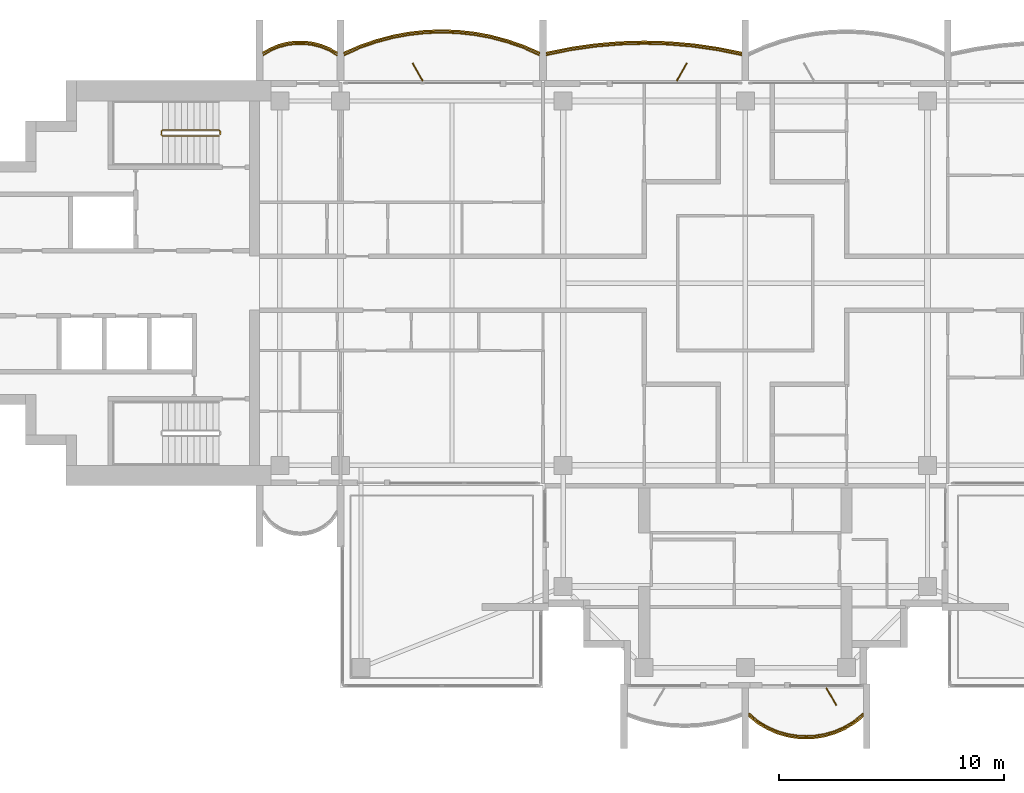
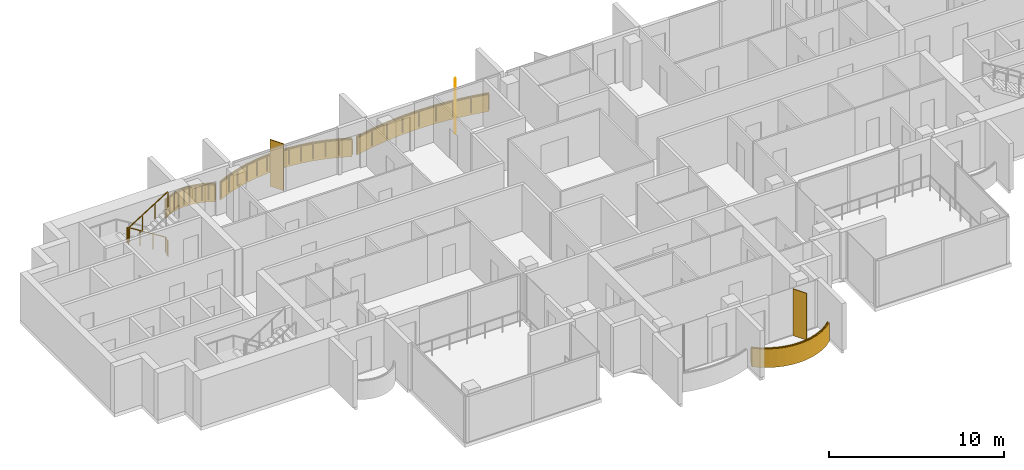
# One storey, part 14 of 16: 5 railings, 4 coverings, 3 shading devices.
"""IFC4 building model written with IfcOpenShell, lengths in metres."""

from ifc_helpers import new_model, si_unit, direction, frame, origin, origin_2d, place, context, subcontext, project, spatial, polyline, rectangle, outline, extrude, material, layer, layer_set, type_object, element, save


model = new_model("IFC4")

# Units and contexts
model_context = context("Model", 3, precision=1e-05, world=origin(), true_north=direction((0.0, 1.0)))
body_context = subcontext(model_context, "Body", "Model", "MODEL_VIEW")
ifc_project = project(units=[si_unit("LENGTHUNIT", "METRE"), si_unit("AREAUNIT", "SQUARE_METRE"), si_unit("VOLUMEUNIT", "CUBIC_METRE"), si_unit("PLANEANGLEUNIT", "RADIAN"), si_unit("MASSUNIT", "GRAM", prefix="KILO")], contexts=[model_context])

# Site, building, storey
site_placement = place(None, origin())
site = spatial("IfcSite", under=ifc_project, at=site_placement, CompositionType="ELEMENT")
building_placement = place(site_placement, origin())
building = spatial("IfcBuilding", under=site, at=building_placement, Name="Perihelion Cross Residences", CompositionType="ELEMENT")
storey_placement = place(building_placement, frame((0.0, 0.0, 267.5)))
storey = spatial("IfcBuildingStorey", under=building, at=storey_placement, Name="L68", CompositionType="ELEMENT", Elevation=267.5)

# Coverings
ifc_material_1 = material(Name="Bronze anodised aluminium", Category="aluminium")
ifc_layer_1 = layer(ifc_material_1, 0.070068359375)
ifc_layer_set_1 = layer_set([ifc_layer_1], Name="Balcony fascia 1300")
covering_type = type_object("IfcCoveringType", Name="Balcony fascia 1300", PredefinedType="CLADDING", material=ifc_layer_set_1)
covering_1_placement = place(storey_placement, frame((0.0, 0.0, -0.199951171875)))
element("IfcCovering", 1, at=covering_1_placement, inside=storey, type_object=covering_type, Name="Fascia BF1 L68 north side east bay 2", PredefinedType="CLADDING", context=body_context, shape_type="SweptSolid", body=[
    extrude(outline(polyline([(-1.2255859375, 10.4892578125), (-2.317138671875, 10.645751953125), (-3.408447265625, 10.739013671875), (-4.5, 10.77001953125), (-5.591552734375, 10.739013671875), (-6.682861328125, 10.645751953125), (-7.7744140625, 10.4892578125), (-8.85009765625, 10.271484375), (-8.85009765625, 10.199951171875), (-7.762451171875, 10.42041015625), (-6.675048828125, 10.576171875), (-5.58740234375, 10.669189453125), (-4.5, 10.699951171875), (-3.41259765625, 10.669189453125), (-2.324951171875, 10.576171875), (-1.237548828125, 10.42041015625), (-0.14990234375, 10.199951171875), (-0.14990234375, 10.271484375), (-1.2255859375, 10.4892578125)])), origin(), (0.0, 0.0, 1.0), 1.300048828125),
])
covering_2_placement = place(storey_placement, frame((0.0, 0.0, -0.199951171875)))
element("IfcCovering", 2, at=covering_2_placement, inside=storey, type_object=covering_type, Name="Fascia BF1 L68 west side north bay 1", PredefinedType="CLADDING", context=body_context, shape_type="SweptSolid", body=[
    extrude(outline(polyline([(-9.849365234375, 10.582275390625), (-10.57958984375, 10.83544921875), (-11.309814453125, 11.028076171875), (-12.039794921875, 11.1630859375), (-12.77001953125, 11.243408203125), (-13.5, 11.27001953125), (-14.22998046875, 11.243408203125), (-14.960205078125, 11.1630859375), (-15.690185546875, 11.028076171875), (-16.42041015625, 10.83544921875), (-17.150634765625, 10.582275390625), (-17.85009765625, 10.2763671875), (-17.85009765625, 10.199951171875), (-17.125, 10.51708984375), (-16.39990234375, 10.7685546875), (-15.675048828125, 10.959716796875), (-14.949951171875, 11.093994140625), (-14.22509765625, 11.173583984375), (-13.5, 11.199951171875), (-12.77490234375, 11.173583984375), (-12.050048828125, 11.093994140625), (-11.324951171875, 10.959716796875), (-10.60009765625, 10.7685546875), (-9.875, 10.51708984375), (-9.14990234375, 10.199951171875), (-9.14990234375, 10.2763671875), (-9.849365234375, 10.582275390625)])), origin(), (0.0, 0.0, 1.0), 1.300048828125),
])
covering_3_placement = place(storey_placement, frame((0.0, 0.0, -0.199951171875)))
element("IfcCovering", 3, at=covering_3_placement, inside=storey, type_object=covering_type, Name="Fascia BF1 L68 west side north bay 2", PredefinedType="CLADDING", context=body_context, shape_type="SweptSolid", body=[
    extrude(outline(polyline([(-18.486328125, 10.4716796875), (-18.861572265625, 10.62158203125), (-19.237060546875, 10.717529296875), (-19.6123046875, 10.76416015625), (-19.987548828125, 10.76416015625), (-20.363037109375, 10.717529296875), (-20.73828125, 10.62158203125), (-21.11376953125, 10.4716796875), (-21.449951171875, 10.280517578125), (-21.449951171875, 10.199951171875), (-21.083251953125, 10.40869140625), (-20.716552734375, 10.55517578125), (-20.35009765625, 10.648681640625), (-19.9833984375, 10.6943359375), (-19.61669921875, 10.6943359375), (-19.25, 10.648681640625), (-18.88330078125, 10.55517578125), (-18.5166015625, 10.40869140625), (-18.14990234375, 10.199951171875), (-18.14990234375, 10.280517578125), (-18.486328125, 10.4716796875)])), origin(), (0.0, 0.0, 1.0), 1.300048828125),
])
covering_4_placement = place(storey_placement, frame((0.0, 0.0, -0.199951171875)))
element("IfcCovering", 4, at=covering_4_placement, inside=storey, type_object=covering_type, Name="Fascia BF1 L68 south tip south bay 2", PredefinedType="CLADDING", context=body_context, shape_type="SweptSolid", body=[
    extrude(outline(polyline([(0.53515625, -19.59765625), (0.96826171875, -19.85498046875), (1.401123046875, -20.04248046875), (1.833984375, -20.170654296875), (2.26708984375, -20.245361328125), (2.699951171875, -20.27001953125), (3.133056640625, -20.245361328125), (3.56591796875, -20.170654296875), (3.998779296875, -20.04248046875), (4.431884765625, -19.85498046875), (4.86474609375, -19.59765625), (5.25, -19.28955078125), (5.25, -19.199951171875), (4.824951171875, -19.5400390625), (4.39990234375, -19.792724609375), (3.97509765625, -19.9765625), (3.550048828125, -20.1025390625), (3.125, -20.17578125), (2.699951171875, -20.199951171875), (2.27490234375, -20.17578125), (1.85009765625, -20.1025390625), (1.425048828125, -19.9765625), (1.0, -19.792724609375), (0.574951171875, -19.5400390625), (0.14990234375, -19.199951171875), (0.14990234375, -19.28955078125), (0.53515625, -19.59765625)])), origin(), (0.0, 0.0, 1.0), 1.300048828125),
])

# Railings
ifc_material_2 = material(Name="Bronze anodised aluminium", Category="aluminium")
railing_type_1 = type_object("IfcRailingType", Name="Balcony guard 1100", PredefinedType="GUARDRAIL", material=ifc_material_2)
railing_1_placement = place(storey_placement, frame((-0.175048828125, 10.139892578125, 0.0)))
element("IfcRailing", 5, at=railing_1_placement, inside=storey, type_object=railing_type_1, Name="Guard GU1 L68 north side east bay 2 balcony", PredefinedType="GUARDRAIL", context=body_context, shape_type="SweptSolid", body=[
    extrude(rectangle(XDim=0.048095703125, YDim=0.048095703125, at=origin_2d()), frame((0.0, 0.0, 1.076171875), z_axis=(-0.979144816647, 0.203163549961, 0.0), x_axis=(-0.203163549961, -0.979144816647, 0.0)), (0.0, 0.0, 1.0), 1.085205078125),
    extrude(rectangle(XDim=0.048095703125, YDim=0.048095703125, at=origin_2d()), frame((-1.0625, 0.220458984375, 1.076171875), z_axis=(-0.98989608354, 0.141794724135, 0.0), x_axis=(-0.141794724135, -0.98989608354, 0.0)), (0.0, 0.0, 1.0), 1.098388671875),
    extrude(rectangle(XDim=0.048095703125, YDim=0.048095703125, at=origin_2d()), frame((-2.14990234375, 0.376220703125, 1.076171875), z_axis=(-0.996362942492, 0.085210837506, 0.0), x_axis=(-0.085210837506, -0.996362942492, 0.0)), (0.0, 0.0, 1.0), 1.091552734375),
    extrude(rectangle(XDim=0.048095703125, YDim=0.048095703125, at=origin_2d()), frame((-3.237548828125, 0.46923828125, 1.076171875), z_axis=(-0.999600101203, 0.028277865458, 0.0), x_axis=(-0.028277865458, -0.999600101203, 0.0)), (0.0, 0.0, 1.0), 1.087890625),
    extrude(rectangle(XDim=0.048095703125, YDim=0.048095703125, at=origin_2d()), frame((-4.324951171875, 0.5, 1.076171875), z_axis=(-0.999600101203, -0.028277865458, 0.0), x_axis=(0.028277865458, -0.999600101203, 0.0)), (0.0, 0.0, 1.0), 1.087890625),
    extrude(rectangle(XDim=0.048095703125, YDim=0.048095703125, at=origin_2d()), frame((-5.412353515625, 0.46923828125, 1.076171875), z_axis=(-0.996362942492, -0.085210837506, 0.0), x_axis=(0.085210837506, -0.996362942492, 0.0)), (0.0, 0.0, 1.0), 1.091552734375),
    extrude(rectangle(XDim=0.048095703125, YDim=0.048095703125, at=origin_2d()), frame((-6.5, 0.376220703125, 1.076171875), z_axis=(-0.98989608354, -0.141794724135, 0.0), x_axis=(0.141794724135, -0.98989608354, 0.0)), (0.0, 0.0, 1.0), 1.098388671875),
    extrude(rectangle(XDim=0.048095703125, YDim=0.048095703125, at=origin_2d()), frame((-7.58740234375, 0.220458984375, 1.076171875), z_axis=(-0.979144816647, -0.203163549961, 0.0), x_axis=(0.203163549961, -0.979144816647, 0.0)), (0.0, 0.0, 1.0), 1.085205078125),
    extrude(rectangle(XDim=0.0419921875, YDim=0.0419921875, at=origin_2d()), origin(), (0.0, 0.0, 1.0), 1.052001953125),
    extrude(rectangle(XDim=0.0419921875, YDim=0.0419921875, at=origin_2d()), frame((-1.0625, 0.220458984375, 0.0)), (0.0, 0.0, 1.0), 1.052001953125),
    extrude(rectangle(XDim=0.0419921875, YDim=0.0419921875, at=origin_2d()), frame((-2.14990234375, 0.376220703125, 0.0)), (0.0, 0.0, 1.0), 1.052001953125),
    extrude(rectangle(XDim=0.0419921875, YDim=0.0419921875, at=origin_2d()), frame((-3.237548828125, 0.46923828125, 0.0)), (0.0, 0.0, 1.0), 1.052001953125),
    extrude(rectangle(XDim=0.0419921875, YDim=0.0419921875, at=origin_2d()), frame((-4.324951171875, 0.5, 0.0)), (0.0, 0.0, 1.0), 1.052001953125),
    extrude(rectangle(XDim=0.0419921875, YDim=0.0419921875, at=origin_2d()), frame((-5.412353515625, 0.46923828125, 0.0)), (0.0, 0.0, 1.0), 1.052001953125),
    extrude(rectangle(XDim=0.0419921875, YDim=0.0419921875, at=origin_2d()), frame((-6.5, 0.376220703125, 0.0)), (0.0, 0.0, 1.0), 1.052001953125),
    extrude(rectangle(XDim=0.0419921875, YDim=0.0419921875, at=origin_2d()), frame((-7.58740234375, 0.220458984375, 0.0)), (0.0, 0.0, 1.0), 1.052001953125),
    extrude(rectangle(XDim=0.0419921875, YDim=0.0419921875, at=origin_2d()), frame((-8.64990234375, 0.0, 0.0)), (0.0, 0.0, 1.0), 1.052001953125),
])
railing_2_placement = place(storey_placement, frame((-9.175048828125, 10.139892578125, 0.0)))
element("IfcRailing", 6, at=railing_2_placement, inside=storey, type_object=railing_type_1, Name="Guard GU1 L68 west side north bay 1 balcony", PredefinedType="GUARDRAIL", context=body_context, shape_type="SweptSolid", body=[
    extrude(rectangle(XDim=0.048095703125, YDim=0.048095703125, at=origin_2d()), frame((0.0, 0.0, 1.076171875), z_axis=(-0.910866309087, 0.412701547089, 0.0), x_axis=(-0.412701547089, -0.910866309087, 0.0)), (0.0, 0.0, 1.0), 0.7685546875),
    extrude(rectangle(XDim=0.048095703125, YDim=0.048095703125, at=origin_2d()), frame((-0.699951171875, 0.317138671875, 1.076171875), z_axis=(-0.944796812452, 0.327656807012, 0.0), x_axis=(-0.327656807012, -0.944796812452, 0.0)), (0.0, 0.0, 1.0), 0.767578125),
    extrude(rectangle(XDim=0.048095703125, YDim=0.048095703125, at=origin_2d()), frame((-1.425048828125, 0.568603515625, 1.076171875), z_axis=(-0.966939404945, 0.255006249266, 0.0), x_axis=(-0.255006249266, -0.966939404945, 0.0)), (0.0, 0.0, 1.0), 0.749755859375),
    extrude(rectangle(XDim=0.048095703125, YDim=0.048095703125, at=origin_2d()), frame((-2.14990234375, 0.759765625, 1.076171875), z_axis=(-0.983282004984, 0.182089260182, 0.0), x_axis=(-0.182089260182, -0.983282004984, 0.0)), (0.0, 0.0, 1.0), 0.7373046875),
    extrude(rectangle(XDim=0.048095703125, YDim=0.048095703125, at=origin_2d()), frame((-2.875, 0.89404296875, 1.076171875), z_axis=(-0.994025805622, 0.109145305703, 0.0), x_axis=(-0.109145305703, -0.994025805622, 0.0)), (0.0, 0.0, 1.0), 0.729248046875),
    extrude(rectangle(XDim=0.048095703125, YDim=0.048095703125, at=origin_2d()), frame((-3.599853515625, 0.9736328125, 1.076171875), z_axis=(-0.999339497946, 0.036339618107, 0.0), x_axis=(-0.036339618107, -0.999339497946, 0.0)), (0.0, 0.0, 1.0), 0.7255859375),
    extrude(rectangle(XDim=0.048095703125, YDim=0.048095703125, at=origin_2d()), frame((-4.324951171875, 1.0, 1.076171875), z_axis=(-0.999339497946, -0.036339618107, 0.0), x_axis=(0.036339618107, -0.999339497946, 0.0)), (0.0, 0.0, 1.0), 0.7255859375),
    extrude(rectangle(XDim=0.048095703125, YDim=0.048095703125, at=origin_2d()), frame((-5.050048828125, 0.9736328125, 1.076171875), z_axis=(-0.994025805622, -0.109145305703, 0.0), x_axis=(0.109145305703, -0.994025805622, 0.0)), (0.0, 0.0, 1.0), 0.729248046875),
    extrude(rectangle(XDim=0.048095703125, YDim=0.048095703125, at=origin_2d()), frame((-5.77490234375, 0.89404296875, 1.076171875), z_axis=(-0.983282004984, -0.182089260182, 0.0), x_axis=(0.182089260182, -0.983282004984, 0.0)), (0.0, 0.0, 1.0), 0.7373046875),
    extrude(rectangle(XDim=0.048095703125, YDim=0.048095703125, at=origin_2d()), frame((-6.5, 0.759765625, 1.076171875), z_axis=(-0.966939404945, -0.255006249266, 0.0), x_axis=(0.255006249266, -0.966939404945, 0.0)), (0.0, 0.0, 1.0), 0.749755859375),
    extrude(rectangle(XDim=0.048095703125, YDim=0.048095703125, at=origin_2d()), frame((-7.224853515625, 0.568603515625, 1.076171875), z_axis=(-0.944796812452, -0.327656807012, 0.0), x_axis=(0.327656807012, -0.944796812452, 0.0)), (0.0, 0.0, 1.0), 0.767578125),
    extrude(rectangle(XDim=0.048095703125, YDim=0.048095703125, at=origin_2d()), frame((-7.949951171875, 0.317138671875, 1.076171875), z_axis=(-0.910866309087, -0.412701547089, 0.0), x_axis=(0.412701547089, -0.910866309087, 0.0)), (0.0, 0.0, 1.0), 0.7685546875),
    extrude(rectangle(XDim=0.0419921875, YDim=0.0419921875, at=origin_2d()), origin(), (0.0, 0.0, 1.0), 1.052001953125),
    extrude(rectangle(XDim=0.0419921875, YDim=0.0419921875, at=origin_2d()), frame((-0.699951171875, 0.317138671875, 0.0)), (0.0, 0.0, 1.0), 1.052001953125),
    extrude(rectangle(XDim=0.0419921875, YDim=0.0419921875, at=origin_2d()), frame((-1.425048828125, 0.568603515625, 0.0)), (0.0, 0.0, 1.0), 1.052001953125),
    extrude(rectangle(XDim=0.0419921875, YDim=0.0419921875, at=origin_2d()), frame((-2.14990234375, 0.759765625, 0.0)), (0.0, 0.0, 1.0), 1.052001953125),
    extrude(rectangle(XDim=0.0419921875, YDim=0.0419921875, at=origin_2d()), frame((-2.875, 0.89404296875, 0.0)), (0.0, 0.0, 1.0), 1.052001953125),
    extrude(rectangle(XDim=0.0419921875, YDim=0.0419921875, at=origin_2d()), frame((-3.599853515625, 0.9736328125, 0.0)), (0.0, 0.0, 1.0), 1.052001953125),
    extrude(rectangle(XDim=0.0419921875, YDim=0.0419921875, at=origin_2d()), frame((-4.324951171875, 1.0, 0.0)), (0.0, 0.0, 1.0), 1.052001953125),
    extrude(rectangle(XDim=0.0419921875, YDim=0.0419921875, at=origin_2d()), frame((-5.050048828125, 0.9736328125, 0.0)), (0.0, 0.0, 1.0), 1.052001953125),
    extrude(rectangle(XDim=0.0419921875, YDim=0.0419921875, at=origin_2d()), frame((-5.77490234375, 0.89404296875, 0.0)), (0.0, 0.0, 1.0), 1.052001953125),
    extrude(rectangle(XDim=0.0419921875, YDim=0.0419921875, at=origin_2d()), frame((-6.5, 0.759765625, 0.0)), (0.0, 0.0, 1.0), 1.052001953125),
    extrude(rectangle(XDim=0.0419921875, YDim=0.0419921875, at=origin_2d()), frame((-7.224853515625, 0.568603515625, 0.0)), (0.0, 0.0, 1.0), 1.052001953125),
    extrude(rectangle(XDim=0.0419921875, YDim=0.0419921875, at=origin_2d()), frame((-7.949951171875, 0.317138671875, 0.0)), (0.0, 0.0, 1.0), 1.052001953125),
    extrude(rectangle(XDim=0.0419921875, YDim=0.0419921875, at=origin_2d()), frame((-8.64990234375, 0.0, 0.0)), (0.0, 0.0, 1.0), 1.052001953125),
])
railing_3_placement = place(storey_placement, frame((-18.175048828125, 10.139892578125, 0.0)))
element("IfcRailing", 7, at=railing_3_placement, inside=storey, type_object=railing_type_1, Name="Guard GU1 L68 west side north bay 2 balcony", PredefinedType="GUARDRAIL", context=body_context, shape_type="SweptSolid", body=[
    extrude(rectangle(XDim=0.048095703125, YDim=0.048095703125, at=origin_2d()), frame((0.0, 0.0, 1.076171875), z_axis=(-0.853266756821, 0.52147467983, 0.0), x_axis=(-0.52147467983, -0.853266756821, 0.0)), (0.0, 0.0, 1.0), 0.400390625),
    extrude(rectangle(XDim=0.048095703125, YDim=0.048095703125, at=origin_2d()), frame((-0.341552734375, 0.208740234375, 1.076171875), z_axis=(-0.928647151248, 0.37096424151, 0.0), x_axis=(-0.37096424151, -0.928647151248, 0.0)), (0.0, 0.0, 1.0), 0.394775390625),
    extrude(rectangle(XDim=0.048095703125, YDim=0.048095703125, at=origin_2d()), frame((-0.708251953125, 0.355224609375, 1.076171875), z_axis=(-0.968993337782, 0.247086849781, 0.0), x_axis=(-0.247086849781, -0.968993337782, 0.0)), (0.0, 0.0, 1.0), 0.37841796875),
    extrude(rectangle(XDim=0.048095703125, YDim=0.048095703125, at=origin_2d()), frame((-1.074951171875, 0.44873046875, 1.076171875), z_axis=(-0.992338742457, 0.123546834114, 0.0), x_axis=(-0.123546834114, -0.992338742457, 0.0)), (0.0, 0.0, 1.0), 0.36962890625),
    extrude(rectangle(XDim=0.048095703125, YDim=0.048095703125, at=origin_2d()), frame((-1.441650390625, 0.494384765625, 1.076171875), z_axis=(-1.0, 0.0, 0.0), x_axis=(0.0, -1.0, 0.0)), (0.0, 0.0, 1.0), 0.36669921875),
    extrude(rectangle(XDim=0.048095703125, YDim=0.048095703125, at=origin_2d()), frame((-1.808349609375, 0.494384765625, 1.076171875), z_axis=(-0.992338742457, -0.123546834114, 0.0), x_axis=(0.123546834114, -0.992338742457, 0.0)), (0.0, 0.0, 1.0), 0.36962890625),
    extrude(rectangle(XDim=0.048095703125, YDim=0.048095703125, at=origin_2d()), frame((-2.175048828125, 0.44873046875, 1.076171875), z_axis=(-0.968953914071, -0.247241405123, 0.0), x_axis=(0.247241405123, -0.968953914071, 0.0)), (0.0, 0.0, 1.0), 0.378173828125),
    extrude(rectangle(XDim=0.048095703125, YDim=0.048095703125, at=origin_2d()), frame((-2.54150390625, 0.355224609375, 1.076171875), z_axis=(-0.928647151248, -0.37096424151, 0.0), x_axis=(0.37096424151, -0.928647151248, 0.0)), (0.0, 0.0, 1.0), 0.394775390625),
    extrude(rectangle(XDim=0.048095703125, YDim=0.048095703125, at=origin_2d()), frame((-2.908203125, 0.208740234375, 1.076171875), z_axis=(-0.853432484338, -0.521203410078, 0.0), x_axis=(0.521203410078, -0.853432484338, 0.0)), (0.0, 0.0, 1.0), 0.400390625),
    extrude(rectangle(XDim=0.0419921875, YDim=0.0419921875, at=origin_2d()), origin(), (0.0, 0.0, 1.0), 1.052001953125),
    extrude(rectangle(XDim=0.0419921875, YDim=0.0419921875, at=origin_2d()), frame((-0.341552734375, 0.208740234375, 0.0)), (0.0, 0.0, 1.0), 1.052001953125),
    extrude(rectangle(XDim=0.0419921875, YDim=0.0419921875, at=origin_2d()), frame((-0.708251953125, 0.355224609375, 0.0)), (0.0, 0.0, 1.0), 1.052001953125),
    extrude(rectangle(XDim=0.0419921875, YDim=0.0419921875, at=origin_2d()), frame((-1.074951171875, 0.44873046875, 0.0)), (0.0, 0.0, 1.0), 1.052001953125),
    extrude(rectangle(XDim=0.0419921875, YDim=0.0419921875, at=origin_2d()), frame((-1.441650390625, 0.494384765625, 0.0)), (0.0, 0.0, 1.0), 1.052001953125),
    extrude(rectangle(XDim=0.0419921875, YDim=0.0419921875, at=origin_2d()), frame((-1.808349609375, 0.494384765625, 0.0)), (0.0, 0.0, 1.0), 1.052001953125),
    extrude(rectangle(XDim=0.0419921875, YDim=0.0419921875, at=origin_2d()), frame((-2.175048828125, 0.44873046875, 0.0)), (0.0, 0.0, 1.0), 1.052001953125),
    extrude(rectangle(XDim=0.0419921875, YDim=0.0419921875, at=origin_2d()), frame((-2.54150390625, 0.355224609375, 0.0)), (0.0, 0.0, 1.0), 1.052001953125),
    extrude(rectangle(XDim=0.0419921875, YDim=0.0419921875, at=origin_2d()), frame((-2.908203125, 0.208740234375, 0.0)), (0.0, 0.0, 1.0), 1.052001953125),
    extrude(rectangle(XDim=0.0419921875, YDim=0.0419921875, at=origin_2d()), frame((-3.25, 0.0, 0.0)), (0.0, 0.0, 1.0), 1.052001953125),
])
railing_4_placement = place(storey_placement, frame((0.175048828125, -19.139892578125, 0.0)))
element("IfcRailing", 8, at=railing_4_placement, inside=storey, type_object=railing_type_1, Name="Guard GU1 L68 south tip south bay 2 balcony", PredefinedType="GUARDRAIL", context=body_context, shape_type="SweptSolid", body=[
    extrude(rectangle(XDim=0.048095703125, YDim=0.048095703125, at=origin_2d()), frame((0.0, 0.0, 1.076171875), z_axis=(0.761778647315, -0.647837396648, 0.0), x_axis=(0.647837396648, 0.761778647315, 0.0)), (0.0, 0.0, 1.0), 0.52490234375),
    extrude(rectangle(XDim=0.048095703125, YDim=0.048095703125, at=origin_2d()), frame((0.39990234375, -0.340087890625, 1.076171875), z_axis=(0.859576918062, -0.511006381501, 0.0), x_axis=(0.511006381501, 0.859576918062, 0.0)), (0.0, 0.0, 1.0), 0.494384765625),
    extrude(rectangle(XDim=0.048095703125, YDim=0.048095703125, at=origin_2d()), frame((0.824951171875, -0.5927734375, 1.076171875), z_axis=(0.917638931453, -0.397415137459, 0.0), x_axis=(0.397415137459, 0.917638931453, 0.0)), (0.0, 0.0, 1.0), 0.463134765625),
    extrude(rectangle(XDim=0.048095703125, YDim=0.048095703125, at=origin_2d()), frame((1.25, -0.77685546875, 1.076171875), z_axis=(0.958925815697, -0.283656975924, 0.0), x_axis=(0.283656975924, 0.958925815697, 0.0)), (0.0, 0.0, 1.0), 0.443359375),
    extrude(rectangle(XDim=0.048095703125, YDim=0.048095703125, at=origin_2d()), frame((1.675048828125, -0.902587890625, 1.076171875), z_axis=(0.985365142702, -0.170456843651, 0.0), x_axis=(0.170456843651, 0.985365142702, 0.0)), (0.0, 0.0, 1.0), 0.43115234375),
    extrude(rectangle(XDim=0.048095703125, YDim=0.048095703125, at=origin_2d()), frame((2.099853515625, -0.97607421875, 1.076171875), z_axis=(0.9984195016, -0.056200523353, 0.0), x_axis=(0.056200523353, 0.9984195016, 0.0)), (0.0, 0.0, 1.0), 0.42578125),
    extrude(rectangle(XDim=0.048095703125, YDim=0.048095703125, at=origin_2d()), frame((2.52490234375, -1.0, 1.076171875), z_axis=(0.9984195016, 0.056200523353, 0.0), x_axis=(-0.056200523353, 0.9984195016, 0.0)), (0.0, 0.0, 1.0), 0.42578125),
    extrude(rectangle(XDim=0.048095703125, YDim=0.048095703125, at=origin_2d()), frame((2.949951171875, -0.97607421875, 1.076171875), z_axis=(0.985381583142, 0.17036177859, 0.0), x_axis=(-0.17036177859, 0.985381583142, 0.0)), (0.0, 0.0, 1.0), 0.431396484375),
    extrude(rectangle(XDim=0.048095703125, YDim=0.048095703125, at=origin_2d()), frame((3.375, -0.902587890625, 1.076171875), z_axis=(0.958925815697, 0.283656975924, 0.0), x_axis=(-0.283656975924, 0.958925815697, 0.0)), (0.0, 0.0, 1.0), 0.443359375),
    extrude(rectangle(XDim=0.048095703125, YDim=0.048095703125, at=origin_2d()), frame((3.800048828125, -0.77685546875, 1.076171875), z_axis=(0.91755562531, 0.397607437634, 0.0), x_axis=(-0.397607437634, 0.91755562531, 0.0)), (0.0, 0.0, 1.0), 0.462890625),
    extrude(rectangle(XDim=0.048095703125, YDim=0.048095703125, at=origin_2d()), frame((4.224853515625, -0.5927734375, 1.076171875), z_axis=(0.859576918062, 0.511006381501, 0.0), x_axis=(-0.511006381501, 0.859576918062, 0.0)), (0.0, 0.0, 1.0), 0.494384765625),
    extrude(rectangle(XDim=0.048095703125, YDim=0.048095703125, at=origin_2d()), frame((4.64990234375, -0.340087890625, 1.076171875), z_axis=(0.761973728849, 0.647607934281, 0.0), x_axis=(-0.647607934281, 0.761973728849, 0.0)), (0.0, 0.0, 1.0), 0.525146484375),
    extrude(rectangle(XDim=0.0419921875, YDim=0.0419921875, at=origin_2d()), origin(), (0.0, 0.0, 1.0), 1.052001953125),
    extrude(rectangle(XDim=0.0419921875, YDim=0.0419921875, at=origin_2d()), frame((0.39990234375, -0.340087890625, 0.0)), (0.0, 0.0, 1.0), 1.052001953125),
    extrude(rectangle(XDim=0.0419921875, YDim=0.0419921875, at=origin_2d()), frame((0.824951171875, -0.5927734375, 0.0)), (0.0, 0.0, 1.0), 1.052001953125),
    extrude(rectangle(XDim=0.0419921875, YDim=0.0419921875, at=origin_2d()), frame((1.25, -0.77685546875, 0.0)), (0.0, 0.0, 1.0), 1.052001953125),
    extrude(rectangle(XDim=0.0419921875, YDim=0.0419921875, at=origin_2d()), frame((1.675048828125, -0.902587890625, 0.0)), (0.0, 0.0, 1.0), 1.052001953125),
    extrude(rectangle(XDim=0.0419921875, YDim=0.0419921875, at=origin_2d()), frame((2.099853515625, -0.97607421875, 0.0)), (0.0, 0.0, 1.0), 1.052001953125),
    extrude(rectangle(XDim=0.0419921875, YDim=0.0419921875, at=origin_2d()), frame((2.52490234375, -1.0, 0.0)), (0.0, 0.0, 1.0), 1.052001953125),
    extrude(rectangle(XDim=0.0419921875, YDim=0.0419921875, at=origin_2d()), frame((2.949951171875, -0.97607421875, 0.0)), (0.0, 0.0, 1.0), 1.052001953125),
    extrude(rectangle(XDim=0.0419921875, YDim=0.0419921875, at=origin_2d()), frame((3.375, -0.902587890625, 0.0)), (0.0, 0.0, 1.0), 1.052001953125),
    extrude(rectangle(XDim=0.0419921875, YDim=0.0419921875, at=origin_2d()), frame((3.800048828125, -0.77685546875, 0.0)), (0.0, 0.0, 1.0), 1.052001953125),
    extrude(rectangle(XDim=0.0419921875, YDim=0.0419921875, at=origin_2d()), frame((4.224853515625, -0.5927734375, 0.0)), (0.0, 0.0, 1.0), 1.052001953125),
    extrude(rectangle(XDim=0.0419921875, YDim=0.0419921875, at=origin_2d()), frame((4.64990234375, -0.340087890625, 0.0)), (0.0, 0.0, 1.0), 1.052001953125),
    extrude(rectangle(XDim=0.0419921875, YDim=0.0419921875, at=origin_2d()), frame((5.050048828125, 0.0, 0.0)), (0.0, 0.0, 1.0), 1.052001953125),
])

# Shading devices
ifc_material_3 = material(Name="Bronze anodised aluminium", Category="aluminium")
ifc_layer_2 = layer(ifc_material_3, 0.050048828125)
ifc_layer_set_2 = layer_set([ifc_layer_2], Name="Bronze fin 900")
shading_device_type = type_object("IfcShadingDeviceType", Name="Bronze fin 900", PredefinedType="USERDEFINED", material=ifc_layer_set_2)
for number, where, z_axis, x_axis, name in (
    (9, (-2.824951171875, 9.3896484375, 0.0), (0.0, 0.0, 1.0), (0.5, 0.866025403784, 0.0), "Fin FN1 L68 north side east bay 2"),
    (10, (-14.574951171875, 9.3896484375, 0.0), (0.0, 0.0, 1.0), (-0.5, 0.866025403784, 0.0), "Fin FN1 L68 west side north bay 1"),
    (11, (3.824951171875, -18.3896484375, 0.0), (0.0, 0.0, 1.0), (0.5, -0.866025403784, 0.0), "Fin FN1 L68 south tip south bay 2"),
):
    element("IfcShadingDevice", number, at=place(storey_placement, frame(where, z_axis=z_axis, x_axis=x_axis)), inside=storey, type_object=shading_device_type, Name=name, ObjectType="FIN", PredefinedType="USERDEFINED", context=body_context, shape_type="SweptSolid", body=[
        extrude(rectangle(XDim=0.89990234375, YDim=0.050048828125, at=origin_2d()), origin(), (0.0, 0.0, 1.0), 3.25),
    ])

# Railing
ifc_material_4 = material(Name="Stainless steel", Category="steel")
railing_type_2 = type_object("IfcRailingType", Name="Stair guard 1100", PredefinedType="GUARDRAIL", material=ifc_material_4)
railing_5_placement = place(storey_placement, frame((-23.35009765625, 6.60009765625, 0.0)))
element("IfcRailing", 12, at=railing_5_placement, inside=storey, type_object=railing_type_2, Name="L68 ST-W1 stair guard 1", PredefinedType="GUARDRAIL", context=body_context, shape_type="SweptSolid", body=[
    extrude(rectangle(XDim=0.048095703125, YDim=0.048095703125, at=origin_2d()), frame((0.0, 0.0, 1.076171875), z_axis=(0.0, 1.0, 0.0), x_axis=(-1.0, 0.0, 0.0)), (0.0, 0.0, 1.0), 0.14990234375),
    extrude(rectangle(XDim=0.048095703125, YDim=0.048095703125, at=origin_2d()), frame((0.0, 0.14990234375, 1.076171875), z_axis=(-0.263862480399, 0.265155923931, 0.927399011991), x_axis=(-0.708833529934, -0.705375805398, 0.0)), (0.0, 0.0, 1.0), 0.188720703125),
    extrude(rectangle(XDim=0.048095703125, YDim=0.048095703125, at=origin_2d()), frame((-0.0498046875, 0.199951171875, 1.2509765625), z_axis=(-0.848007534815, 0.0, 0.529984170421), x_axis=(0.0, -1.0, 0.0)), (0.0, 0.0, 1.0), 2.9716796875),
    extrude(rectangle(XDim=0.048095703125, YDim=0.048095703125, at=origin_2d()), frame((-2.56982421875, 0.199951171875, 2.826171875), z_axis=(-0.707106781187, -0.707106781187, 0.0), x_axis=(0.707106781187, -0.707106781187, 0.0)), (0.0, 0.0, 1.0), 0.07080078125),
    extrude(rectangle(XDim=0.048095703125, YDim=0.048095703125, at=origin_2d()), frame((-2.619873046875, 0.14990234375, 2.826171875), z_axis=(0.0, -1.0, 0.0), x_axis=(1.0, 0.0, 0.0)), (0.0, 0.0, 1.0), 0.14990234375),
    extrude(rectangle(XDim=0.048095703125, YDim=0.048095703125, at=origin_2d()), frame((-2.619873046875, 0.0, 2.826171875), z_axis=(0.265065253269, -0.265065253269, 0.927081885822), x_axis=(0.707106781187, 0.707106781187, 0.0)), (0.0, 0.0, 1.0), 0.188720703125),
    extrude(rectangle(XDim=0.048095703125, YDim=0.048095703125, at=origin_2d()), frame((-2.56982421875, -0.050048828125, 3.0009765625), z_axis=(0.848007534815, 0.0, 0.529984170421), x_axis=(0.0, 1.0, 0.0)), (0.0, 0.0, 1.0), 2.9716796875),
    extrude(rectangle(XDim=0.0419921875, YDim=0.0419921875, at=origin_2d()), origin(), (0.0, 0.0, 1.0), 1.052001953125),
    extrude(rectangle(XDim=0.0419921875, YDim=0.0419921875, at=origin_2d()), frame((0.0, 0.14990234375, 0.0)), (0.0, 0.0, 1.0), 1.052001953125),
    extrude(rectangle(XDim=0.0419921875, YDim=0.0419921875, at=origin_2d()), frame((-0.0498046875, 0.199951171875, 0.175048828125)), (0.0, 0.0, 1.0), 1.052001953125),
    extrude(rectangle(XDim=0.0419921875, YDim=0.0419921875, at=origin_2d()), frame((-0.889892578125, 0.199951171875, 0.699951171875)), (0.0, 0.0, 1.0), 1.052001953125),
    extrude(rectangle(XDim=0.0419921875, YDim=0.0419921875, at=origin_2d()), frame((-1.729736328125, 0.199951171875, 1.22509765625)), (0.0, 0.0, 1.0), 1.052001953125),
    extrude(rectangle(XDim=0.0419921875, YDim=0.0419921875, at=origin_2d()), frame((-2.56982421875, 0.199951171875, 1.75)), (0.0, 0.0, 1.0), 1.052001953125),
    extrude(rectangle(XDim=0.0419921875, YDim=0.0419921875, at=origin_2d()), frame((-2.619873046875, 0.14990234375, 1.75)), (0.0, 0.0, 1.0), 1.052001953125),
    extrude(rectangle(XDim=0.0419921875, YDim=0.0419921875, at=origin_2d()), frame((-2.619873046875, 0.0, 1.75)), (0.0, 0.0, 1.0), 1.052001953125),
    extrude(rectangle(XDim=0.0419921875, YDim=0.0419921875, at=origin_2d()), frame((-2.56982421875, -0.050048828125, 1.925048828125)), (0.0, 0.0, 1.0), 1.052001953125),
    extrude(rectangle(XDim=0.0419921875, YDim=0.0419921875, at=origin_2d()), frame((-1.729736328125, -0.050048828125, 2.449951171875)), (0.0, 0.0, 1.0), 1.052001953125),
    extrude(rectangle(XDim=0.0419921875, YDim=0.0419921875, at=origin_2d()), frame((-0.889892578125, -0.050048828125, 2.97509765625)), (0.0, 0.0, 1.0), 1.052001953125),
    extrude(rectangle(XDim=0.0419921875, YDim=0.0419921875, at=origin_2d()), frame((-0.0498046875, -0.050048828125, 3.5)), (0.0, 0.0, 1.0), 1.052001953125),
])

save(model, "model.ifc")
